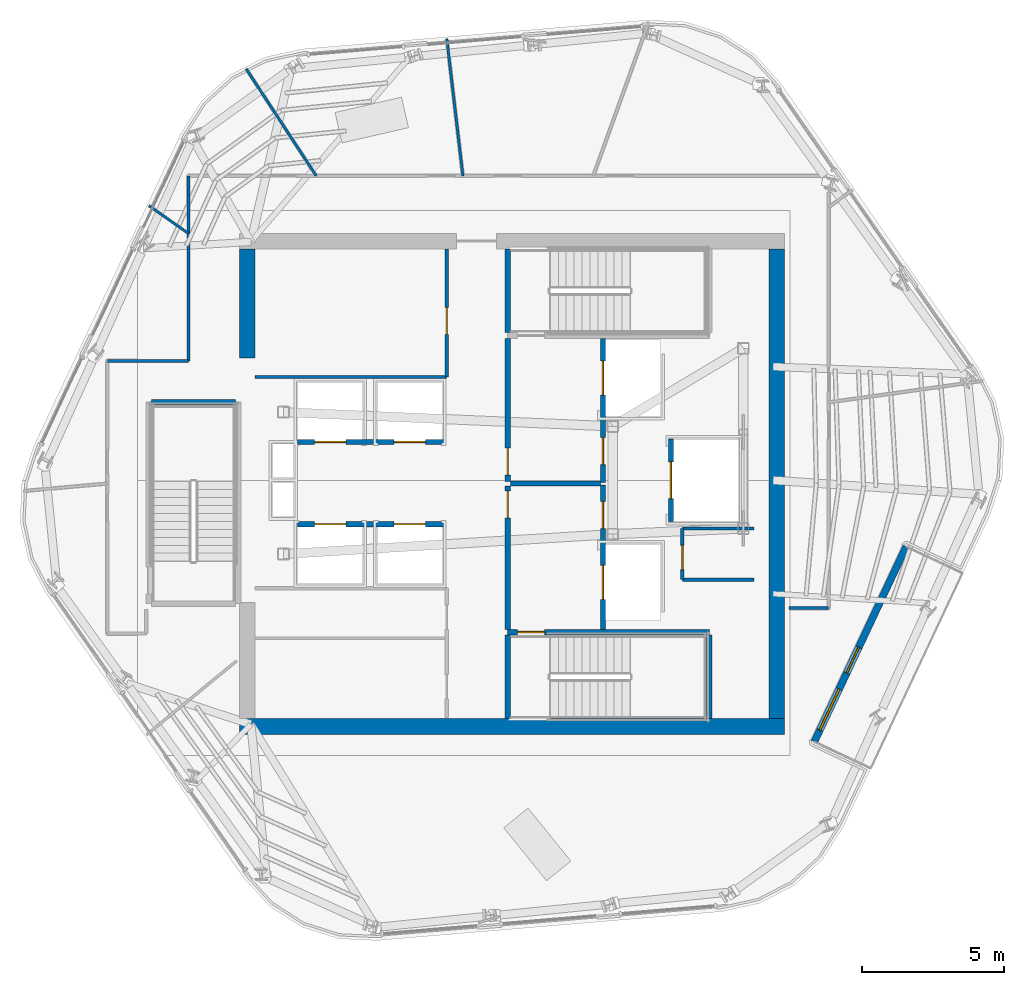
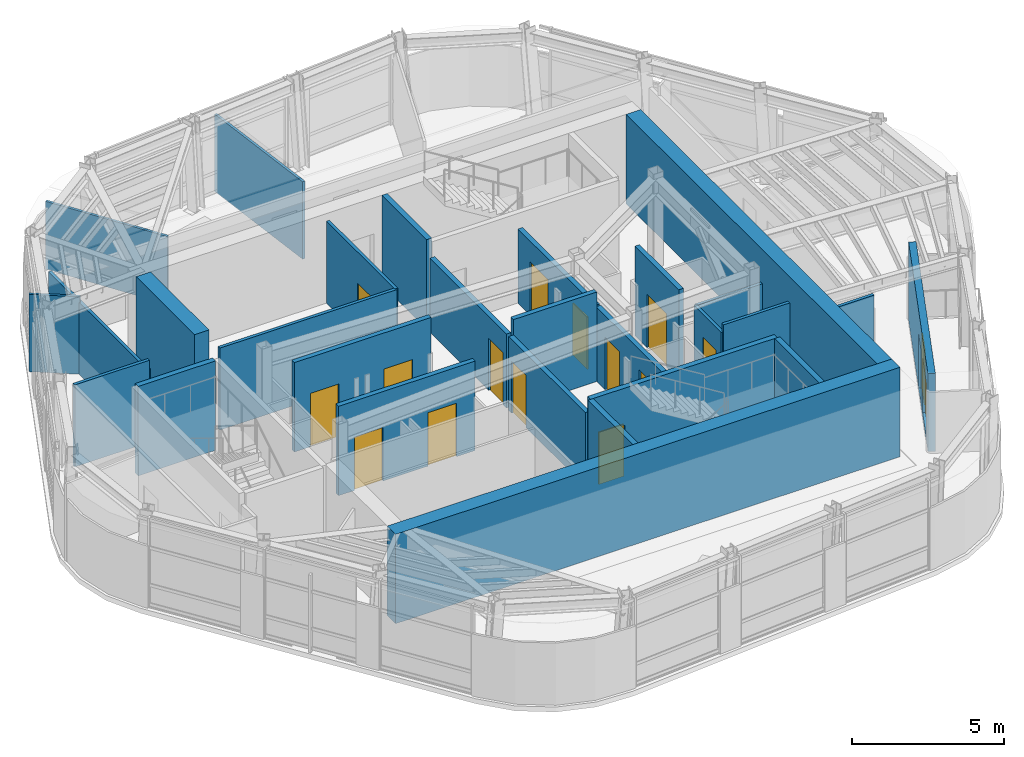
# One storey, part 6 of 14: 28 walls, 15 doors, 1 window, 16 openings.
"""IFC4 building model written with IfcOpenShell, lengths in metres."""

from ifc_helpers import new_model, si_unit, direction, frame, frame_2d, origin, place, context, subcontext, project, spatial, rectangle, extrude, material, layer, layer_set, type_object, element, fill, save


model = new_model("IFC4")

# Units and contexts
model_context = context("Model", 3, precision=1e-05, world=origin(), true_north=direction((0.0, 1.0)))
body_context = subcontext(model_context, "Body", "Model", "MODEL_VIEW")
ifc_project = project(units=[si_unit("LENGTHUNIT", "METRE"), si_unit("AREAUNIT", "SQUARE_METRE"), si_unit("VOLUMEUNIT", "CUBIC_METRE"), si_unit("PLANEANGLEUNIT", "RADIAN"), si_unit("MASSUNIT", "GRAM", prefix="KILO")], contexts=[model_context])

# Site, building, storey
site_placement = place(None, origin())
site = spatial("IfcSite", under=ifc_project, at=site_placement, CompositionType="ELEMENT")
building_placement = place(site_placement, origin())
building = spatial("IfcBuilding", under=site, at=building_placement, Name="Valkerne Bourse Tower", CompositionType="ELEMENT")
storey_placement = place(building_placement, frame((0.0, 0.0, 304.0)))
storey = spatial("IfcBuildingStorey", under=building, at=storey_placement, Name="L77", CompositionType="ELEMENT", Elevation=304.0)

# Walls
ifc_material_1 = material(Name="Concrete C55/67", Category="concrete")
ifc_layer_1 = layer(ifc_material_1, 0.550048828125)
ifc_layer_set_1 = layer_set([ifc_layer_1], Name="Concrete C55/67")
wall_type_1 = type_object("IfcWallType", Name="W-CORE-550", PredefinedType="SHEAR", material=ifc_layer_set_1)
wall_1_placement = place(storey_placement, frame((37.199951171875, 18.324951171875, 0.0), z_axis=(0.0, 0.0, 1.0), x_axis=(1.0, 0.0, 0.0)))
element("IfcWall", 1, at=wall_1_placement, inside=storey, type_object=wall_type_1, Name="L77 Core Shear Wall SOUTH", PredefinedType="SHEAR", context=body_context, shape_type="SweptSolid", body=[
    extrude(rectangle(XDim=19.199951171875, YDim=0.550048828125, at=frame_2d((9.60009765625, 0.0))), origin(), (0.0, 0.0, 1.0), 3.60009765625),
])
wall_2_placement = place(storey_placement, frame((56.125, 18.60009765625, 0.0), z_axis=(0.0, 0.0, 1.0), x_axis=(0.0, 1.0, 0.0)))
element("IfcWall", 2, at=wall_2_placement, inside=storey, type_object=wall_type_1, Name="L77 Core Shear Wall EAST", PredefinedType="SHEAR", context=body_context, shape_type="SweptSolid", body=[
    extrude(rectangle(XDim=16.5498046875, YDim=0.550048828125, at=frame_2d((8.27490234375, 0.0))), origin(), (0.0, 0.0, 1.0), 3.60009765625),
])
wall_3_placement = place(storey_placement, frame((37.47509765625, 31.300048828125, 0.0), z_axis=(0.0, 0.0, 1.0), x_axis=(0.0, 1.0, 0.0)))
element("IfcWall", 3, at=wall_3_placement, inside=storey, type_object=wall_type_1, Name="L77 Core Shear Wall WEST-N", PredefinedType="SHEAR", context=body_context, shape_type="SweptSolid", body=[
    extrude(rectangle(XDim=3.849853515625, YDim=0.550048828125, at=frame_2d((1.9248046875, 0.0))), origin(), (0.0, 0.0, 1.0), 3.60009765625),
])

# Wall, opening, door
ifc_material_2 = material(Name="Gypsum Board Steel-Stud Partition", Category="steel")
ifc_layer_2 = layer(ifc_material_2, 0.117919921875)
ifc_layer_set_2 = layer_set([ifc_layer_2], Name="Gypsum Board Steel-Stud Partition")
wall_type_2 = type_object("IfcWallType", Name="W-CORR-140", PredefinedType="PARTITIONING", material=ifc_layer_set_2)
wall_4_placement = place(storey_placement, frame((44.5, 30.639892578125, 0.0), z_axis=(0.0, 0.0, 1.0), x_axis=(0.0, 1.0, 0.0)))
wall_4 = element("IfcWall", 4, at=wall_4_placement, inside=storey, type_object=wall_type_2, Name="L77 LV7 Mid-Bank East Wall", PredefinedType="PARTITIONING", context=body_context, shape_type="SweptSolid", body=[
    extrude(rectangle(XDim=4.510009765625, YDim=0.117919921875, at=frame_2d((2.2548828125, 0.0))), origin(), (0.0, 0.0, 1.0), 3.300048828125),
])
opening_1_placement = place(wall_4_placement, frame((1.5, 0.0, 0.0)))
opening_1 = element("IfcOpeningElement", 5, at=opening_1_placement, cuts=wall_4, Name="Opening D-SV-950", PredefinedType="OPENING", context=body_context, shape_type="SweptSolid", body=[
    extrude(rectangle(XDim=0.949951171875, YDim=2.050048828125, at=frame_2d((0.47509765625, 1.02490234375))), frame((0.0, 0.06884765625, 0.0), z_axis=(0.0, -1.0, 0.0), x_axis=(1.0, 0.0, 0.0)), (0.0, 0.0, 1.0), 0.137939453125),
])
ifc_material_3 = material(Name="Galvanised Painted Steel", Category="steel")
door_type_1 = type_object("IfcDoorType", Name="DR-SRV-950", OperationType="NOTDEFINED", PredefinedType="DOOR", material=ifc_material_3)
door_1_placement = place(opening_1_placement, origin())
door_1 = element("IfcDoor", 6, at=door_1_placement, inside=storey, type_object=door_type_1, Name="L77 Executive Treasury Conference Door", OperationType="SINGLE_SWING_RIGHT", OverallHeight=2.050048828125, OverallWidth=0.949951171875, PredefinedType="DOOR", context=body_context, shape_type="SweptSolid", body=[
    extrude(rectangle(XDim=0.949951171875, YDim=2.050048828125, at=frame_2d((0.47509765625, 1.02490234375))), frame((0.0, 0.02490234375, 0.0), z_axis=(0.0, -1.0, 0.0), x_axis=(1.0, 0.0, 0.0)), (0.0, 0.0, 1.0), 0.050048828125),
])
fill(opening_1, door_1)

# Wall
wall_5_placement = place(storey_placement, frame((37.75, 30.639892578125, 0.0), z_axis=(0.0, 0.0, 1.0), x_axis=(1.0, 0.0, 0.0)))
element("IfcWall", 7, at=wall_5_placement, inside=storey, type_object=wall_type_2, Name="L77 LV7 Mid-Bank South Wall", PredefinedType="PARTITIONING", context=body_context, shape_type="SweptSolid", body=[
    extrude(rectangle(XDim=6.75, YDim=0.117919921875, at=frame_2d((3.375, 0.0))), origin(), (0.0, 0.0, 1.0), 3.300048828125),
])

# Wall, opening, door
wall_6_placement = place(storey_placement, frame((52.800048828125, 23.5, 0.0), z_axis=(0.0, 0.0, 1.0), x_axis=(0.0, 1.0, 0.0)))
wall_6 = element("IfcWall", 8, at=wall_6_placement, inside=storey, type_object=wall_type_2, Name="L77 Core SE North-Bay West Wall", PredefinedType="PARTITIONING", context=body_context, shape_type="SweptSolid", body=[
    extrude(rectangle(XDim=1.800048828125, YDim=0.117919921875, at=frame_2d((0.89990234375, 0.0))), origin(), (0.0, 0.0, 1.0), 2.977783203125),
])
opening_2_placement = place(wall_6_placement, frame((0.35009765625, 0.0, 0.0)))
opening_2 = element("IfcOpeningElement", 9, at=opening_2_placement, cuts=wall_6, Name="Opening D-WC-900", PredefinedType="OPENING", context=body_context, shape_type="SweptSolid", body=[
    extrude(rectangle(XDim=0.860107421875, YDim=2.050048828125, at=frame_2d((0.43017578125, 1.02490234375))), frame((0.0, 0.06884765625, 0.0), z_axis=(0.0, -1.0, 0.0), x_axis=(1.0, 0.0, 0.0)), (0.0, 0.0, 1.0), 0.137939453125),
])
ifc_material_4 = material(Name="Architectural White Oak Timber", Category="wood")
door_type_2 = type_object("IfcDoorType", Name="DR-WC-900", OperationType="NOTDEFINED", PredefinedType="DOOR", material=ifc_material_4)
door_2_placement = place(opening_2_placement, origin())
door_2 = element("IfcDoor", 10, at=door_2_placement, inside=storey, type_object=door_type_2, Name="L77 Telecom Closet Door", OperationType="SINGLE_SWING_RIGHT", OverallHeight=2.050048828125, OverallWidth=0.860107421875, PredefinedType="DOOR", context=body_context, shape_type="SweptSolid", body=[
    extrude(rectangle(XDim=0.860107421875, YDim=2.050048828125, at=frame_2d((0.43017578125, 1.02490234375))), frame((0.0, 0.02490234375, 0.0), z_axis=(0.0, -1.0, 0.0), x_axis=(1.0, 0.0, 0.0)), (0.0, 0.0, 1.0), 0.050048828125),
])
fill(opening_2, door_2)

# Walls
wall_7_placement = place(storey_placement, frame((52.800048828125, 23.5, 0.0), z_axis=(0.0, 0.0, 1.0), x_axis=(1.0, 0.0, 0.0)))
element("IfcWall", 11, at=wall_7_placement, inside=storey, type_object=wall_type_2, Name="L77 Core SE North-Bay South Wall", PredefinedType="PARTITIONING", context=body_context, shape_type="SweptSolid", body=[
    extrude(rectangle(XDim=2.52001953125, YDim=0.117919921875, at=frame_2d((1.260009765625, 0.0))), origin(), (0.0, 0.0, 1.0), 3.300048828125),
])
wall_8_placement = place(storey_placement, frame((52.800048828125, 25.300048828125, 0.0), z_axis=(0.0, 0.0, 1.0), x_axis=(1.0, 0.0, 0.0)))
element("IfcWall", 12, at=wall_8_placement, inside=storey, type_object=wall_type_2, Name="L77 Core SE North-Bay North Wall", PredefinedType="PARTITIONING", context=body_context, shape_type="SweptSolid", body=[
    extrude(rectangle(XDim=2.52001953125, YDim=0.117919921875, at=frame_2d((1.260009765625, 0.0))), origin(), (0.0, 0.0, 1.0), 2.977783203125),
])
wall_9_placement = place(storey_placement, frame((35.39990234375, 31.199951171875, 0.0), z_axis=(0.0, 0.0, 1.0), x_axis=(0.0, 1.0, 0.0)))
element("IfcWall", 13, at=wall_9_placement, inside=storey, type_object=wall_type_2, Name="L77 Corridor Enclosure Wall", PredefinedType="PARTITIONING", context=body_context, shape_type="SweptSolid", body=[
    extrude(rectangle(XDim=6.52001953125, YDim=0.117919921875, at=frame_2d((3.260009765625, 0.0))), origin(), (0.0, 0.0, 1.0), 2.896484375),
])
wall_10_placement = place(storey_placement, frame((57.949951171875, 22.5, 0.0), z_axis=(0.0, 0.0, 1.0), x_axis=(-1.0, 0.0, 0.0)))
element("IfcWall", 14, at=wall_10_placement, inside=storey, type_object=wall_type_2, Name="L77 Corridor Enclosure Wall", PredefinedType="PARTITIONING", context=body_context, shape_type="SweptSolid", body=[
    extrude(rectangle(XDim=1.389892578125, YDim=0.117919921875, at=frame_2d((0.69482421875, 0.0))), origin(), (0.0, 0.0, 1.0), 3.300048828125),
])
wall_11_placement = place(storey_placement, frame((32.550048828125, 31.199951171875, 0.0), z_axis=(0.0, 0.0, 1.0), x_axis=(1.0, 0.0, 0.0)))
element("IfcWall", 15, at=wall_11_placement, inside=storey, type_object=wall_type_2, Name="L77 Corridor Enclosure Wall", PredefinedType="PARTITIONING", context=body_context, shape_type="SweptSolid", body=[
    extrude(rectangle(XDim=2.849853515625, YDim=0.117919921875, at=frame_2d((1.4248046875, 0.0))), origin(), (0.0, 0.0, 1.0), 3.300048828125),
])

# Wall, openings, door, window
ifc_material_5 = material(Name="Bronze Anodised Aluminium AA 6063-T6", Category="aluminium")
ifc_layer_3 = layer(ifc_material_5, 0.25)
ifc_layer_set_3 = layer_set([ifc_layer_3], Name="Bronze Anodised Aluminium AA 6063-T6")
wall_type_3 = type_object("IfcWallType", Name="W-EXT-TER-250", PredefinedType="STANDARD", material=ifc_layer_set_3)
wall_12_placement = place(storey_placement, frame((57.452880859375, 17.787353515625, 0.0), z_axis=(0.0, 0.0, 1.0), x_axis=(0.425795489311, 0.904819430208, 0.0)))
wall_12 = element("IfcWall", 16, at=wall_12_placement, inside=storey, type_object=wall_type_3, Name="L77 V-Notch Terrace Glazed Access Wall", PredefinedType="STANDARD", context=body_context, shape_type="SweptSolid", body=[
    extrude(rectangle(XDim=7.60009765625, YDim=0.25, at=frame_2d((3.800048828125, 0.0))), origin(), (0.0, 0.0, 1.0), 3.13671875),
])
opening_3_placement = place(wall_12_placement, frame((2.679931640625, 0.0, 0.0)))
opening_3 = element("IfcOpeningElement", 17, at=opening_3_placement, cuts=wall_12, Name="Opening DT-1000", PredefinedType="OPENING", context=body_context, shape_type="SweptSolid", body=[
    extrude(rectangle(XDim=1.0, YDim=2.199951171875, at=frame_2d((0.5, 1.10009765625))), frame((0.0, 0.135009765625, 0.0), z_axis=(0.0, -1.0, 0.0), x_axis=(1.0, 0.0, 0.0)), (0.0, 0.0, 1.0), 0.27001953125),
])
opening_4_placement = place(wall_12_placement, frame((0.449951171875, 0.0, 0.14990234375)))
opening_4 = element("IfcOpeningElement", 18, at=opening_4_placement, cuts=wall_12, Name="Opening WN-04", PredefinedType="OPENING", context=body_context, shape_type="SweptSolid", body=[
    extrude(rectangle(XDim=1.60009765625, YDim=2.199951171875, at=frame_2d((0.800048828125, 1.10009765625))), frame((0.0, 0.135009765625, 0.0), z_axis=(0.0, -1.0, 0.0), x_axis=(1.0, 0.0, 0.0)), (0.0, 0.0, 1.0), 0.27001953125),
])
ifc_material_6 = material(Name="Glass IGU Low-E Double Glazed", Category="glass")
door_type_3 = type_object("IfcDoorType", Name="DR-EXT-TER-1000", OperationType="NOTDEFINED", PredefinedType="DOOR", material=ifc_material_6)
door_3_placement = place(opening_3_placement, origin())
door_3 = element("IfcDoor", 19, at=door_3_placement, inside=storey, type_object=door_type_3, Name="L77 V-Notch Outdoor Terrace Access Door", OperationType="SINGLE_SWING_RIGHT", OverallHeight=2.199951171875, OverallWidth=1.0, PredefinedType="DOOR", context=body_context, shape_type="SweptSolid", body=[
    extrude(rectangle(XDim=1.0, YDim=2.199951171875, at=frame_2d((0.5, 1.10009765625))), frame((0.0, 0.02490234375, 0.0), z_axis=(0.0, -1.0, 0.0), x_axis=(1.0, 0.0, 0.0)), (0.0, 0.0, 1.0), 0.050048828125),
])
fill(opening_3, door_3)
window_type = type_object("IfcWindowType", Name="WIN-TER-1600X2200", PartitioningType="SINGLE_PANEL", PredefinedType="WINDOW", material=ifc_material_6)
window_placement = place(opening_4_placement, origin())
window = element("IfcWindow", 20, at=window_placement, inside=storey, type_object=window_type, Name="L77 V-Notch Terrace Sidelight Window", OverallHeight=2.199951171875, OverallWidth=1.60009765625, PartitioningType="SINGLE_PANEL", PredefinedType="WINDOW", context=body_context, shape_type="SweptSolid", body=[
    extrude(rectangle(XDim=1.60009765625, YDim=2.199951171875, at=frame_2d((0.800048828125, 1.10009765625))), frame((0.0, 0.030029296875, 0.0), z_axis=(0.0, -1.0, 0.0), x_axis=(1.0, 0.0, 0.0)), (0.0, 0.0, 1.0), 0.06005859375),
])
fill(opening_4, window)

# Wall
ifc_material_7 = material(Name="Gypsum Fire-Rated Shaftwall", Category="gypsum")
ifc_layer_4 = layer(ifc_material_7, 0.179931640625)
ifc_layer_set_4 = layer_set([ifc_layer_4], Name="Gypsum Fire-Rated Shaftwall")
wall_type_4 = type_object("IfcWallType", Name="W-FSAE-180", PredefinedType="PARTITIONING", material=ifc_layer_set_4)
wall_13_placement = place(storey_placement, frame((46.739990234375, 26.8798828125, 0.0), z_axis=(0.0, 0.0, 1.0), x_axis=(1.0, 0.0, 0.0)))
element("IfcWall", 21, at=wall_13_placement, inside=storey, type_object=wall_type_4, Name="L77 FSAE-1/2 Lobby Dividing Fire Wall", PredefinedType="PARTITIONING", context=body_context, shape_type="SweptSolid", body=[
    extrude(rectangle(XDim=3.169921875, YDim=0.179931640625, at=frame_2d((1.5849609375, 0.0))), origin(), (0.0, 0.0, 1.0), 3.60009765625),
])

# Wall, opening, door
wall_14_placement = place(storey_placement, frame((46.64990234375, 21.75, 0.0), z_axis=(0.0, 0.0, 1.0), x_axis=(0.0, 1.0, 0.0)))
wall_14 = element("IfcWall", 22, at=wall_14_placement, inside=storey, type_object=wall_type_4, Name="L77 FSAE-1 Lobby West Fire Wall", PredefinedType="PARTITIONING", context=body_context, shape_type="SweptSolid", body=[
    extrude(rectangle(XDim=5.050048828125, YDim=0.179931640625, at=frame_2d((2.52490234375, 0.0))), origin(), (0.0, 0.0, 1.0), 2.977783203125),
])
opening_5_placement = place(wall_14_placement, frame((3.919921875, 0.0, 0.0)))
opening_5 = element("IfcOpeningElement", 23, at=opening_5_placement, cuts=wall_14, Name="Opening D-FS-950", PredefinedType="OPENING", context=body_context, shape_type="SweptSolid", body=[
    extrude(rectangle(XDim=0.949951171875, YDim=2.10009765625, at=frame_2d((0.47509765625, 1.050048828125))), frame((0.0, 0.099853515625, 0.0), z_axis=(0.0, -1.0, 0.0), x_axis=(1.0, 0.0, 0.0)), (0.0, 0.0, 1.0), 0.199951171875),
])
door_type_4 = type_object("IfcDoorType", Name="DR-FSAE-950", OperationType="NOTDEFINED", PredefinedType="DOOR", material=ifc_material_3)
door_4_placement = place(opening_5_placement, origin())
door_4 = element("IfcDoor", 24, at=door_4_placement, inside=storey, type_object=door_type_4, Name="L77 FSAE-1 Hall Link Fire Door", OperationType="SINGLE_SWING_LEFT", OverallHeight=2.10009765625, OverallWidth=0.949951171875, PredefinedType="DOOR", context=body_context, shape_type="SweptSolid", body=[
    extrude(rectangle(XDim=0.949951171875, YDim=2.10009765625, at=frame_2d((0.47509765625, 1.050048828125))), frame((0.0, 0.02490234375, 0.0), z_axis=(0.0, -1.0, 0.0), x_axis=(1.0, 0.0, 0.0)), (0.0, 0.0, 1.0), 0.050048828125),
])
fill(opening_5, door_4)

wall_15_placement = place(storey_placement, frame((46.64990234375, 26.9599609375, 0.0), z_axis=(0.0, 0.0, 1.0), x_axis=(0.0, 1.0, 0.0)))
wall_15 = element("IfcWall", 25, at=wall_15_placement, inside=storey, type_object=wall_type_4, Name="L77 FSAE-2 Lobby West Fire Wall", PredefinedType="PARTITIONING", context=body_context, shape_type="SweptSolid", body=[
    extrude(rectangle(XDim=5.0400390625, YDim=0.179931640625, at=frame_2d((2.52001953125, 0.0))), origin(), (0.0, 0.0, 1.0), 2.977783203125),
])
opening_6_placement = place(wall_15_placement, frame((0.219970703125, 0.0, 0.0)))
opening_6 = element("IfcOpeningElement", 26, at=opening_6_placement, cuts=wall_15, Name="Opening D-FS-950", PredefinedType="OPENING", context=body_context, shape_type="SweptSolid", body=[
    extrude(rectangle(XDim=0.949951171875, YDim=2.10009765625, at=frame_2d((0.47509765625, 1.050048828125))), frame((0.0, 0.099853515625, 0.0), z_axis=(0.0, -1.0, 0.0), x_axis=(1.0, 0.0, 0.0)), (0.0, 0.0, 1.0), 0.199951171875),
])
door_5_placement = place(opening_6_placement, origin())
door_5 = element("IfcDoor", 27, at=door_5_placement, inside=storey, type_object=door_type_4, Name="L77 FSAE-2 Hall Link Fire Door", OperationType="SINGLE_SWING_LEFT", OverallHeight=2.10009765625, OverallWidth=0.949951171875, PredefinedType="DOOR", context=body_context, shape_type="SweptSolid", body=[
    extrude(rectangle(XDim=0.949951171875, YDim=2.10009765625, at=frame_2d((0.47509765625, 1.050048828125))), frame((0.0, 0.02490234375, 0.0), z_axis=(0.0, -1.0, 0.0), x_axis=(1.0, 0.0, 0.0)), (0.0, 0.0, 1.0), 0.050048828125),
])
fill(opening_6, door_5)

# Wall, openings, doors
wall_16_placement = place(storey_placement, frame((50.0, 21.75, 0.0), z_axis=(0.0, 0.0, 1.0), x_axis=(0.0, 1.0, 0.0)))
wall_16 = element("IfcWall", 28, at=wall_16_placement, inside=storey, type_object=wall_type_4, Name="L77 FSAE-1 Lobby & Shaft Front Wall", PredefinedType="PARTITIONING", context=body_context, shape_type="SweptSolid", body=[
    extrude(rectangle(XDim=5.090087890625, YDim=0.179931640625, at=frame_2d((2.544921875, 0.0))), origin(), (0.0, 0.0, 1.0), 2.977783203125),
])
opening_7_placement = place(wall_16_placement, frame((1.050048828125, 0.0, 0.0)))
opening_7 = element("IfcOpeningElement", 29, at=opening_7_placement, cuts=wall_16, Name="Opening LD-1200", PredefinedType="OPENING", context=body_context, shape_type="SweptSolid", body=[
    extrude(rectangle(XDim=1.199951171875, YDim=2.14990234375, at=frame_2d((0.60009765625, 1.074951171875))), frame((0.0, 0.099853515625, 0.0), z_axis=(0.0, -1.0, 0.0), x_axis=(1.0, 0.0, 0.0)), (0.0, 0.0, 1.0), 0.199951171875),
])
opening_8_placement = place(wall_16_placement, frame((3.550048828125, 0.0, 0.0)))
opening_8 = element("IfcOpeningElement", 30, at=opening_8_placement, cuts=wall_16, Name="Opening D-FS-950", PredefinedType="OPENING", context=body_context, shape_type="SweptSolid", body=[
    extrude(rectangle(XDim=0.949951171875, YDim=2.10009765625, at=frame_2d((0.47509765625, 1.050048828125))), frame((0.0, 0.099853515625, 0.0), z_axis=(0.0, -1.0, 0.0), x_axis=(1.0, 0.0, 0.0)), (0.0, 0.0, 1.0), 0.199951171875),
])
door_6_placement = place(opening_8_placement, origin())
door_6 = element("IfcDoor", 31, at=door_6_placement, inside=storey, type_object=door_type_4, Name="L77 FSAE-1 Lobby Corridor Fire Door", OperationType="SINGLE_SWING_LEFT", OverallHeight=2.10009765625, OverallWidth=0.949951171875, PredefinedType="DOOR", context=body_context, shape_type="SweptSolid", body=[
    extrude(rectangle(XDim=0.949951171875, YDim=2.10009765625, at=frame_2d((0.47509765625, 1.050048828125))), frame((0.0, 0.02490234375, 0.0), z_axis=(0.0, -1.0, 0.0), x_axis=(1.0, 0.0, 0.0)), (0.0, 0.0, 1.0), 0.050048828125),
])
fill(opening_8, door_6)
ifc_material_8 = material(Name="Stainless Steel AISI 316", Category="steel")
door_type_5 = type_object("IfcDoorType", Name="DR-LIFT-1200", OperationType="DOUBLE_DOOR_SLIDING", PredefinedType="DOOR", material=ifc_material_8)
door_7_placement = place(opening_7_placement, origin())
door_7 = element("IfcDoor", 32, at=door_7_placement, inside=storey, type_object=door_type_5, Name="L77 FSAE-1 Firefighting Lift Landing Door", OperationType="DOUBLE_DOOR_SLIDING", OverallHeight=2.14990234375, OverallWidth=1.199951171875, PredefinedType="DOOR", context=body_context, shape_type="SweptSolid", body=[
    extrude(rectangle(XDim=1.199951171875, YDim=2.14990234375, at=frame_2d((0.60009765625, 1.074951171875))), frame((0.0, 0.02490234375, 0.0), z_axis=(0.0, -1.0, 0.0), x_axis=(1.0, 0.0, 0.0)), (0.0, 0.0, 1.0), 0.050048828125),
])
fill(opening_7, door_7)

wall_17_placement = place(storey_placement, frame((50.0, 26.919921875, 0.0), z_axis=(0.0, 0.0, 1.0), x_axis=(0.0, 1.0, 0.0)))
wall_17 = element("IfcWall", 33, at=wall_17_placement, inside=storey, type_object=wall_type_4, Name="L77 FSAE-2 Lobby & Shaft Front Wall", PredefinedType="PARTITIONING", context=body_context, shape_type="SweptSolid", body=[
    extrude(rectangle(XDim=5.080078125, YDim=0.179931640625, at=frame_2d((2.5400390625, 0.0))), origin(), (0.0, 0.0, 1.0), 2.977783203125),
])
opening_9_placement = place(wall_17_placement, frame((3.080078125, 0.0, 0.0)))
opening_9 = element("IfcOpeningElement", 34, at=opening_9_placement, cuts=wall_17, Name="Opening LD-1200", PredefinedType="OPENING", context=body_context, shape_type="SweptSolid", body=[
    extrude(rectangle(XDim=1.199951171875, YDim=2.14990234375, at=frame_2d((0.60009765625, 1.074951171875))), frame((0.0, 0.099853515625, 0.0), z_axis=(0.0, -1.0, 0.0), x_axis=(1.0, 0.0, 0.0)), (0.0, 0.0, 1.0), 0.199951171875),
])
opening_10_placement = place(wall_17_placement, frame((0.6298828125, 0.0, 0.0)))
opening_10 = element("IfcOpeningElement", 35, at=opening_10_placement, cuts=wall_17, Name="Opening D-FS-950", PredefinedType="OPENING", context=body_context, shape_type="SweptSolid", body=[
    extrude(rectangle(XDim=0.949951171875, YDim=2.10009765625, at=frame_2d((0.47509765625, 1.050048828125))), frame((0.0, 0.099853515625, 0.0), z_axis=(0.0, -1.0, 0.0), x_axis=(1.0, 0.0, 0.0)), (0.0, 0.0, 1.0), 0.199951171875),
])
door_8_placement = place(opening_10_placement, origin())
door_8 = element("IfcDoor", 36, at=door_8_placement, inside=storey, type_object=door_type_4, Name="L77 FSAE-2 Lobby Corridor Fire Door", OperationType="SINGLE_SWING_LEFT", OverallHeight=2.10009765625, OverallWidth=0.949951171875, PredefinedType="DOOR", context=body_context, shape_type="SweptSolid", body=[
    extrude(rectangle(XDim=0.949951171875, YDim=2.10009765625, at=frame_2d((0.47509765625, 1.050048828125))), frame((0.0, 0.02490234375, 0.0), z_axis=(0.0, -1.0, 0.0), x_axis=(1.0, 0.0, 0.0)), (0.0, 0.0, 1.0), 0.050048828125),
])
fill(opening_10, door_8)
door_9_placement = place(opening_9_placement, origin())
door_9 = element("IfcDoor", 37, at=door_9_placement, inside=storey, type_object=door_type_5, Name="L77 FSAE-2 Firefighting Lift Landing Door", OperationType="DOUBLE_DOOR_SLIDING", OverallHeight=2.14990234375, OverallWidth=1.199951171875, PredefinedType="DOOR", context=body_context, shape_type="SweptSolid", body=[
    extrude(rectangle(XDim=1.199951171875, YDim=2.14990234375, at=frame_2d((0.60009765625, 1.074951171875))), frame((0.0, 0.02490234375, 0.0), z_axis=(0.0, -1.0, 0.0), x_axis=(1.0, 0.0, 0.0)), (0.0, 0.0, 1.0), 0.050048828125),
])
fill(opening_9, door_9)

# Wall, opening, door
ifc_material_9 = material(Name="CMU Blockwork Masonry 200mm", Category="masonry")
ifc_layer_5 = layer(ifc_material_9, 0.179931640625)
ifc_layer_set_5 = layer_set([ifc_layer_5], Name="CMU Blockwork Masonry 200mm")
wall_type_5 = type_object("IfcWallType", Name="W-LFT-180", PredefinedType="SOLIDWALL", material=ifc_layer_set_5)
wall_18_placement = place(storey_placement, frame((52.39990234375, 25.550048828125, 0.0), z_axis=(0.0, 0.0, 1.0), x_axis=(0.0, 1.0, 0.0)))
wall_18 = element("IfcWall", 38, at=wall_18_placement, inside=storey, type_object=wall_type_5, Name="L77 Service Lift SV-1 Front Wall", PredefinedType="SOLIDWALL", context=body_context, shape_type="SweptSolid", body=[
    extrude(rectangle(XDim=2.89990234375, YDim=0.179931640625, at=frame_2d((1.449951171875, 0.0))), origin(), (0.0, 0.0, 1.0), 3.60009765625),
])
opening_11_placement = place(wall_18_placement, frame((0.800048828125, 0.0, 0.0)))
opening_11 = element("IfcOpeningElement", 39, at=opening_11_placement, cuts=wall_18, Name="Opening LD-1300", PredefinedType="OPENING", context=body_context, shape_type="SweptSolid", body=[
    extrude(rectangle(XDim=1.300048828125, YDim=2.14990234375, at=frame_2d((0.64990234375, 1.074951171875))), frame((0.0, 0.099853515625, 0.0), z_axis=(0.0, -1.0, 0.0), x_axis=(1.0, 0.0, 0.0)), (0.0, 0.0, 1.0), 0.199951171875),
])
door_type_6 = type_object("IfcDoorType", Name="DR-LIFT-1300", OperationType="DOUBLE_DOOR_SLIDING", PredefinedType="DOOR", material=ifc_material_8)
door_10_placement = place(opening_11_placement, origin())
door_10 = element("IfcDoor", 40, at=door_10_placement, inside=storey, type_object=door_type_6, Name="L77 Service Lift SV-1 Landing Door", OperationType="DOUBLE_DOOR_SLIDING", OverallHeight=2.14990234375, OverallWidth=1.300048828125, PredefinedType="DOOR", context=body_context, shape_type="SweptSolid", body=[
    extrude(rectangle(XDim=1.300048828125, YDim=2.14990234375, at=frame_2d((0.64990234375, 1.074951171875))), frame((0.0, 0.02490234375, 0.0), z_axis=(0.0, -1.0, 0.0), x_axis=(1.0, 0.0, 0.0)), (0.0, 0.0, 1.0), 0.050048828125),
])
fill(opening_11, door_10)

# Wall, openings, doors
wall_19_placement = place(storey_placement, frame((39.25, 25.449951171875, 0.0), z_axis=(0.0, 0.0, 1.0), x_axis=(1.0, 0.0, 0.0)))
wall_19 = element("IfcWall", 41, at=wall_19_placement, inside=storey, type_object=wall_type_5, Name="L77 High-Zone South Cars Front Wall", PredefinedType="SOLIDWALL", context=body_context, shape_type="SweptSolid", body=[
    extrude(rectangle(XDim=5.199951171875, YDim=0.179931640625, at=frame_2d((2.60009765625, 0.0))), origin(), (0.0, 0.0, 1.0), 3.60009765625),
])
opening_12_placement = place(wall_19_placement, frame((0.60009765625, 0.0, 0.0)))
opening_12 = element("IfcOpeningElement", 42, at=opening_12_placement, cuts=wall_19, Name="Opening LD-1100", PredefinedType="OPENING", context=body_context, shape_type="SweptSolid", body=[
    extrude(rectangle(XDim=1.10009765625, YDim=2.14990234375, at=frame_2d((0.550048828125, 1.074951171875))), frame((0.0, 0.099853515625, 0.0), z_axis=(0.0, -1.0, 0.0), x_axis=(1.0, 0.0, 0.0)), (0.0, 0.0, 1.0), 0.199951171875),
])
opening_13_placement = place(wall_19_placement, frame((3.39990234375, 0.0, 0.0)))
opening_13 = element("IfcOpeningElement", 43, at=opening_13_placement, cuts=wall_19, Name="Opening LD-1100", PredefinedType="OPENING", context=body_context, shape_type="SweptSolid", body=[
    extrude(rectangle(XDim=1.10009765625, YDim=2.14990234375, at=frame_2d((0.550048828125, 1.074951171875))), frame((0.0, 0.099853515625, 0.0), z_axis=(0.0, -1.0, 0.0), x_axis=(1.0, 0.0, 0.0)), (0.0, 0.0, 1.0), 0.199951171875),
])
door_type_7 = type_object("IfcDoorType", Name="DR-LIFT-1100", OperationType="DOUBLE_DOOR_SLIDING", PredefinedType="DOOR", material=ifc_material_8)
door_11_placement = place(opening_12_placement, origin())
door_11 = element("IfcDoor", 44, at=door_11_placement, inside=storey, type_object=door_type_7, Name="L77 Passenger Lift PL-H1 Sliding Landing Door", OperationType="DOUBLE_DOOR_SLIDING", OverallHeight=2.14990234375, OverallWidth=1.10009765625, PredefinedType="DOOR", context=body_context, shape_type="SweptSolid", body=[
    extrude(rectangle(XDim=1.10009765625, YDim=2.14990234375, at=frame_2d((0.550048828125, 1.074951171875))), frame((0.0, 0.02490234375, 0.0), z_axis=(0.0, -1.0, 0.0), x_axis=(1.0, 0.0, 0.0)), (0.0, 0.0, 1.0), 0.050048828125),
])
fill(opening_12, door_11)
door_12_placement = place(opening_13_placement, origin())
door_12 = element("IfcDoor", 45, at=door_12_placement, inside=storey, type_object=door_type_7, Name="L77 Passenger Lift PL-H2 Sliding Landing Door", OperationType="DOUBLE_DOOR_SLIDING", OverallHeight=2.14990234375, OverallWidth=1.10009765625, PredefinedType="DOOR", context=body_context, shape_type="SweptSolid", body=[
    extrude(rectangle(XDim=1.10009765625, YDim=2.14990234375, at=frame_2d((0.550048828125, 1.074951171875))), frame((0.0, 0.02490234375, 0.0), z_axis=(0.0, -1.0, 0.0), x_axis=(1.0, 0.0, 0.0)), (0.0, 0.0, 1.0), 0.050048828125),
])
fill(opening_13, door_12)

wall_20_placement = place(storey_placement, frame((39.25, 28.35009765625, 0.0), z_axis=(0.0, 0.0, 1.0), x_axis=(1.0, 0.0, 0.0)))
wall_20 = element("IfcWall", 46, at=wall_20_placement, inside=storey, type_object=wall_type_5, Name="L77 High-Zone North Cars Front Wall", PredefinedType="SOLIDWALL", context=body_context, shape_type="SweptSolid", body=[
    extrude(rectangle(XDim=5.199951171875, YDim=0.179931640625, at=frame_2d((2.60009765625, 0.0))), origin(), (0.0, 0.0, 1.0), 3.60009765625),
])
opening_14_placement = place(wall_20_placement, frame((0.60009765625, 0.0, 0.0)))
opening_14 = element("IfcOpeningElement", 47, at=opening_14_placement, cuts=wall_20, Name="Opening LD-1100", PredefinedType="OPENING", context=body_context, shape_type="SweptSolid", body=[
    extrude(rectangle(XDim=1.10009765625, YDim=2.14990234375, at=frame_2d((0.550048828125, 1.074951171875))), frame((0.0, 0.099853515625, 0.0), z_axis=(0.0, -1.0, 0.0), x_axis=(1.0, 0.0, 0.0)), (0.0, 0.0, 1.0), 0.199951171875),
])
opening_15_placement = place(wall_20_placement, frame((3.39990234375, 0.0, 0.0)))
opening_15 = element("IfcOpeningElement", 48, at=opening_15_placement, cuts=wall_20, Name="Opening LD-1100", PredefinedType="OPENING", context=body_context, shape_type="SweptSolid", body=[
    extrude(rectangle(XDim=1.10009765625, YDim=2.14990234375, at=frame_2d((0.550048828125, 1.074951171875))), frame((0.0, 0.099853515625, 0.0), z_axis=(0.0, -1.0, 0.0), x_axis=(1.0, 0.0, 0.0)), (0.0, 0.0, 1.0), 0.199951171875),
])
door_13_placement = place(opening_14_placement, origin())
door_13 = element("IfcDoor", 49, at=door_13_placement, inside=storey, type_object=door_type_7, Name="L77 Passenger Lift PL-H3 Sliding Landing Door", OperationType="DOUBLE_DOOR_SLIDING", OverallHeight=2.14990234375, OverallWidth=1.10009765625, PredefinedType="DOOR", context=body_context, shape_type="SweptSolid", body=[
    extrude(rectangle(XDim=1.10009765625, YDim=2.14990234375, at=frame_2d((0.550048828125, 1.074951171875))), frame((0.0, 0.02490234375, 0.0), z_axis=(0.0, -1.0, 0.0), x_axis=(1.0, 0.0, 0.0)), (0.0, 0.0, 1.0), 0.050048828125),
])
fill(opening_14, door_13)
door_14_placement = place(opening_15_placement, origin())
door_14 = element("IfcDoor", 50, at=door_14_placement, inside=storey, type_object=door_type_7, Name="L77 Passenger Lift PL-H4 Sliding Landing Door", OperationType="DOUBLE_DOOR_SLIDING", OverallHeight=2.14990234375, OverallWidth=1.10009765625, PredefinedType="DOOR", context=body_context, shape_type="SweptSolid", body=[
    extrude(rectangle(XDim=1.10009765625, YDim=2.14990234375, at=frame_2d((0.550048828125, 1.074951171875))), frame((0.0, 0.02490234375, 0.0), z_axis=(0.0, -1.0, 0.0), x_axis=(1.0, 0.0, 0.0)), (0.0, 0.0, 1.0), 0.050048828125),
])
fill(opening_15, door_14)

# Walls
ifc_layer_6 = layer(ifc_material_2, 0.092041015625)
ifc_layer_set_6 = layer_set([ifc_layer_6], Name="Gypsum Board Steel-Stud Partition")
wall_type_6 = type_object("IfcWallType", Name="W-PART-115", PredefinedType="PARTITIONING", material=ifc_layer_set_6)
wall_21_placement = place(storey_placement, frame((45.0693359375, 37.72509765625, 0.0), z_axis=(0.0, 0.0, 1.0), x_axis=(-0.116646046612, 0.993173549693, 0.0)))
element("IfcWall", 51, at=wall_21_placement, inside=storey, type_object=wall_type_6, Name="L77 Suite Partition P02", PredefinedType="PARTITIONING", context=body_context, shape_type="SweptSolid", body=[
    extrude(rectangle(XDim=4.862060546875, YDim=0.092041015625, at=frame_2d((2.43115234375, 0.0))), origin(), (0.0, 0.0, 1.0), 3.114990234375),
])
wall_22_placement = place(storey_placement, frame((39.901611328125, 37.72509765625, 0.0), z_axis=(0.0, 0.0, 1.0), x_axis=(-0.547590900093, 0.836746201745, 0.0)))
element("IfcWall", 52, at=wall_22_placement, inside=storey, type_object=wall_type_6, Name="L77 Suite Partition P03", PredefinedType="PARTITIONING", context=body_context, shape_type="SweptSolid", body=[
    extrude(rectangle(XDim=4.506103515625, YDim=0.092041015625, at=frame_2d((2.2529296875, 0.0))), origin(), (0.0, 0.0, 1.0), 2.7314453125),
])
wall_23_placement = place(storey_placement, frame((35.39501953125, 35.699951171875, 0.0), z_axis=(0.0, 0.0, 1.0), x_axis=(-0.817949650928, 0.575289812657, 0.0)))
element("IfcWall", 53, at=wall_23_placement, inside=storey, type_object=wall_type_6, Name="L77 Suite Partition P04", PredefinedType="PARTITIONING", context=body_context, shape_type="SweptSolid", body=[
    extrude(rectangle(XDim=1.693359375, YDim=0.092041015625, at=frame_2d((0.8466796875, 0.0))), origin(), (0.0, 0.0, 1.0), 3.114990234375),
])

# Wall, opening, door
ifc_material_10 = material(Name="Concrete C40/50", Category="concrete")
ifc_layer_7 = layer(ifc_material_10, 0.199951171875)
ifc_layer_set_7 = layer_set([ifc_layer_7], Name="Concrete C40/50")
wall_type_7 = type_object("IfcWallType", Name="W-SHF-200", PredefinedType="SHEAR", material=ifc_layer_set_7)
wall_24_placement = place(storey_placement, frame((46.64990234375, 21.64990234375, 0.0), z_axis=(0.0, 0.0, 1.0), x_axis=(1.0, 0.0, 0.0)))
wall_24 = element("IfcWall", 54, at=wall_24_placement, inside=storey, type_object=wall_type_7, Name="L77 Exit Stair ST-1 Structural Shaft Wall North", PredefinedType="SHEAR", context=body_context, shape_type="SweptSolid", body=[
    extrude(rectangle(XDim=7.10009765625, YDim=0.199951171875, at=frame_2d((3.550048828125, 0.0))), origin(), (0.0, 0.0, 1.0), 3.60009765625),
])
opening_16_placement = place(wall_24_placement, frame((0.35009765625, 0.0, 0.0)))
opening_16 = element("IfcOpeningElement", 55, at=opening_16_placement, cuts=wall_24, Name="Opening D-ST-950", PredefinedType="OPENING", context=body_context, shape_type="SweptSolid", body=[
    extrude(rectangle(XDim=0.949951171875, YDim=2.10009765625, at=frame_2d((0.47509765625, 1.050048828125))), frame((0.0, 0.10986328125, 0.0), z_axis=(0.0, -1.0, 0.0), x_axis=(1.0, 0.0, 0.0)), (0.0, 0.0, 1.0), 0.219970703125),
])
door_type_8 = type_object("IfcDoorType", Name="DR-STAIR-950", OperationType="NOTDEFINED", PredefinedType="DOOR", material=ifc_material_3)
door_15_placement = place(opening_16_placement, origin())
door_15 = element("IfcDoor", 56, at=door_15_placement, inside=storey, type_object=door_type_8, Name="L77 Exit Stair ST-1 Door", OperationType="SINGLE_SWING_LEFT", OverallHeight=2.10009765625, OverallWidth=0.949951171875, PredefinedType="DOOR", context=body_context, shape_type="SweptSolid", body=[
    extrude(rectangle(XDim=0.949951171875, YDim=2.10009765625, at=frame_2d((0.47509765625, 1.050048828125))), frame((0.0, 0.02490234375, 0.0), z_axis=(0.0, -1.0, 0.0), x_axis=(1.0, 0.0, 0.0)), (0.0, 0.0, 1.0), 0.050048828125),
])
fill(opening_16, door_15)

# Walls
for number, where, z_axis, x_axis, name in (
    (57, (46.64990234375, 18.60009765625, 0.0), (0.0, 0.0, 1.0), (0.0, 1.0, 0.0), "L77 Exit Stair ST-1 Structural Shaft Wall West"),
    (58, (53.75, 18.60009765625, 0.0), (0.0, 0.0, 1.0), (0.0, 1.0, 0.0), "L77 Exit Stair ST-1 Structural Shaft Wall East"),
    (59, (46.64990234375, 32.199951171875, 0.0), (0.0, 0.0, 1.0), (0.0, 1.0, 0.0), "L77 Exit Stair ST-2 Structural Shaft Wall West"),
    (60, (34.10009765625, 29.75, 0.0), (0.0, 0.0, 1.0), (1.0, 0.0, 0.0), "L77 Exit Stair ST-3 Structural Shaft Wall North"),
):
    element("IfcWall", number, at=place(storey_placement, frame(where, z_axis=z_axis, x_axis=x_axis)), inside=storey, type_object=wall_type_7, Name=name, PredefinedType="SHEAR", context=body_context, shape_type="SweptSolid", body=[
        extrude(rectangle(XDim=2.949951171875, YDim=0.199951171875, at=frame_2d((1.47509765625, 0.0))), origin(), (0.0, 0.0, 1.0), 3.60009765625),
    ])

save(model, "model.ifc")
